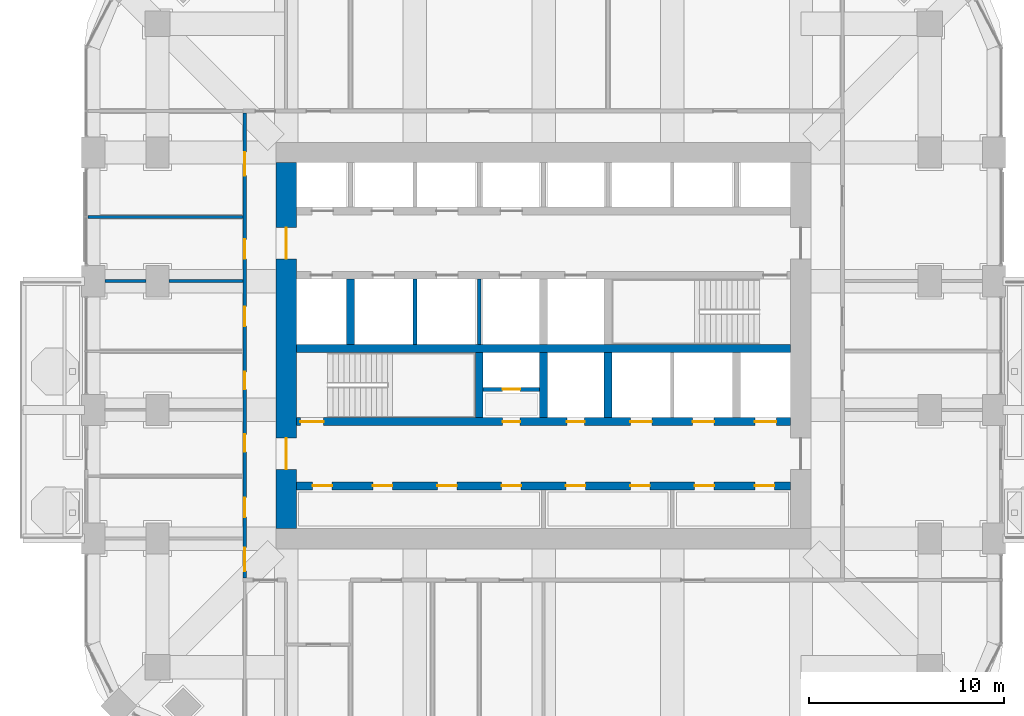
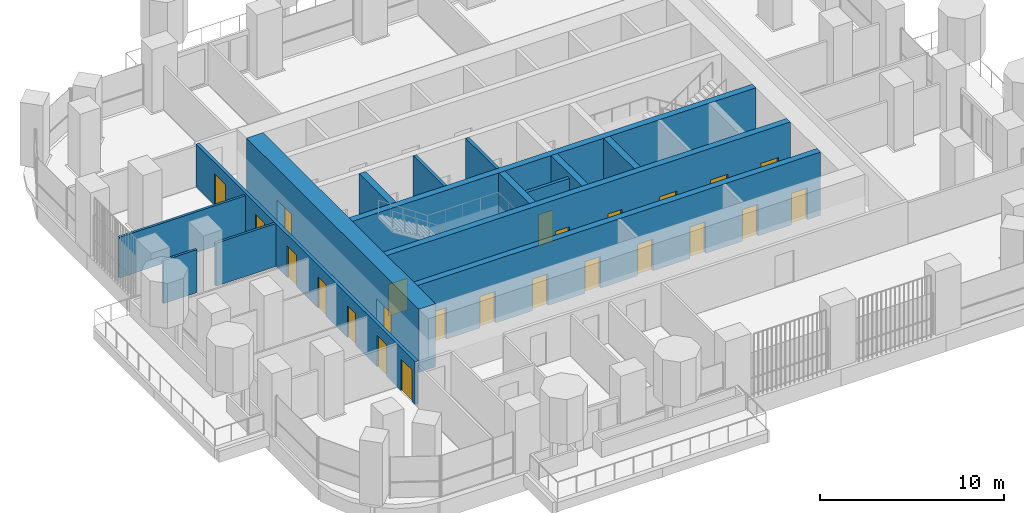
# One storey, part 12 of 19: 24 doors, 15 walls, 24 openings.
"""IFC4 building model written with IfcOpenShell, lengths in metres."""

import ifcopenshell
import ifcopenshell.guid

model = None  # the IFC model being written
_history = None  # IfcOwnerHistory: only IFC2X3 demands one
_inside = {}  # id of a spatial element -> (the spatial element, [elements in it])
_under = {}  # id of a project, library or spatial element -> (it, [spatial elements below it])
_declared = {}  # id of a project -> (the project, [libraries it declares])
_typed = {}  # id of a type object -> (the type object, [elements of that type])
_made_of = {}  # id of a material, layer set ... -> (it, [elements and type objects made of it])


def new_model(schema):
    """Start an empty IFC model of exactly this schema.

    Asked for "IFC4X3", IfcOpenShell would pick the latest addendum, in which some entities
    have other attributes; the version numbers below select the first issue.
    IFC2X3 requires an IfcOwnerHistory on every rooted entity: one is made here for all.
    """
    global model, _history
    if schema == "IFC4X3":
        model = ifcopenshell.file(schema_version=(4, 3, 0, 0))
    else:
        model = ifcopenshell.file(schema=schema)
    _inside.clear()
    _under.clear()
    _declared.clear()
    _typed.clear()
    _made_of.clear()
    _history = None
    if model.schema == "IFC2X3":
        org = make("IfcOrganization", Name="unknown")
        user = make(
            "IfcPersonAndOrganization",
            ThePerson=make("IfcPerson", FamilyName="unknown"),
            TheOrganization=org,
        )
        app = make(
            "IfcApplication",
            ApplicationDeveloper=org,
            Version="unknown",
            ApplicationFullName="unknown",
            ApplicationIdentifier="unknown",
        )
        _history = make(
            "IfcOwnerHistory",
            OwningUser=user,
            OwningApplication=app,
            ChangeAction="ADDED",
            CreationDate=0,
        )
    return model


def make(cls, **values):
    """One entity of the class cls with the attributes given. An attribute that is None is left unset."""
    return model.create_entity(
        cls, **{name: value for name, value in values.items() if value is not None}
    )


def rooted(cls, **values):
    """An entity with a GlobalId (a new one), such as an element, a storey or a relation."""
    return make(cls, GlobalId=ifcopenshell.guid.new(), OwnerHistory=_history, **values)


def si_unit(unit_type, name, prefix=None):
    """IfcSIUnit, for example si_unit("LENGTHUNIT", "METRE", prefix="MILLI")."""
    return make("IfcSIUnit", UnitType=unit_type, Prefix=prefix, Name=name)


def assignment(units):
    """IfcUnitAssignment: the units of a project."""
    return None if units is None else make("IfcUnitAssignment", Units=units)


def point(xyz):
    """IfcCartesianPoint."""
    return None if xyz is None else make("IfcCartesianPoint", Coordinates=xyz)


def direction(xyz):
    """IfcDirection."""
    return None if xyz is None else make("IfcDirection", DirectionRatios=xyz)


def frame(location, z_axis=None, x_axis=None):
    """IfcAxis2Placement3D, a coordinate frame: its origin and axes. An axis left out is left unset."""
    return make(
        "IfcAxis2Placement3D",
        Location=point(location),
        Axis=direction(z_axis),
        RefDirection=direction(x_axis),
    )


def frame_2d(location, x_axis=None):
    """IfcAxis2Placement2D, a coordinate frame in the plane: its origin and x axis."""
    return make(
        "IfcAxis2Placement2D", Location=point(location), RefDirection=direction(x_axis)
    )


def origin():
    """The frame at (0, 0, 0) with its axes left unset."""
    return frame((0.0, 0.0, 0.0))


def place(relative_to, where):
    """IfcLocalPlacement: puts the frame where relative to a parent placement (None: the world)."""
    return make(
        "IfcLocalPlacement", PlacementRelTo=relative_to, RelativePlacement=where
    )


def context(
    kind, dimensions, precision=None, world=None, true_north=None, identifier=None
):
    """IfcGeometricRepresentationContext, for example the 3D "Model" context."""
    return make(
        "IfcGeometricRepresentationContext",
        ContextIdentifier=identifier,
        ContextType=kind,
        CoordinateSpaceDimension=dimensions,
        Precision=precision,
        WorldCoordinateSystem=world,
        TrueNorth=true_north,
    )


def subcontext(parent, identifier, kind, view, scale=None):
    """IfcGeometricRepresentationSubContext, for example "Body" below "Model"."""
    return make(
        "IfcGeometricRepresentationSubContext",
        ContextIdentifier=identifier,
        ContextType=kind,
        ParentContext=parent,
        TargetScale=scale,
        TargetView=view,
    )


def project(units=None, contexts=None):
    """IfcProject with its units and contexts."""
    return rooted(
        "IfcProject",
        Name="project",
        RepresentationContexts=contexts,
        UnitsInContext=assignment(units),
    )


def spatial(cls, under=None, at=None, **own):
    """A site, building, storey or space (cls), placed at a placement, below another one or the project."""
    s = rooted(cls, ObjectPlacement=at, **own)
    if under is not None:
        _under.setdefault(under.id(), (under, []))[1].append(s)
    return s


def profile(cls, at=None, kind="AREA", **sizes):
    """A parametric profile (cls). Its sizes go by their IFC names, for example OverallWidth=200.0."""
    return make(cls, ProfileType=kind, Position=at, **sizes)


def rectangle(**sizes):
    """IfcRectangleProfileDef."""
    return profile("IfcRectangleProfileDef", **sizes)


def extrude(swept, where, along, depth):
    """IfcExtrudedAreaSolid: the profile swept, set in the frame where, extruded along a direction by depth."""
    return make(
        "IfcExtrudedAreaSolid",
        SweptArea=swept,
        Position=where,
        ExtrudedDirection=direction(along),
        Depth=depth,
    )


def shape(context_of_items, identifier, shape_type, items):
    """IfcShapeRepresentation: the items that make up one representation, for example the "Body"."""
    return make(
        "IfcShapeRepresentation",
        ContextOfItems=context_of_items,
        RepresentationIdentifier=identifier,
        RepresentationType=shape_type,
        Items=items,
    )


def material(Name=None, Category=None):
    """IfcMaterial."""
    return make("IfcMaterial", Name=Name, Category=Category)


def layer(
    of_material, thickness, ventilated=None, Name=None, Category=None, Priority=None
):
    """IfcMaterialLayer: one layer of a wall or slab, of a material (None: an air gap)."""
    return make(
        "IfcMaterialLayer",
        Material=of_material,
        LayerThickness=thickness,
        IsVentilated=ventilated,
        Name=Name,
        Category=Category,
        Priority=Priority,
    )


def layer_set(layers, Name=None):
    """IfcMaterialLayerSet."""
    return make("IfcMaterialLayerSet", MaterialLayers=layers, LayerSetName=Name)


def made_of(thing, what):
    """Note that an element or type object is made of a material, layer set ...; save() writes the relation."""
    if what is not None:
        _made_of.setdefault(what.id(), (what, []))[1].append(thing)
    return thing


def type_object(cls, material=None, **own):
    """A type object (cls), such as IfcWallType, which elements share."""
    return made_of(rooted(cls, **own), material)


def element(
    cls,
    number,
    at=None,
    inside=None,
    cuts=None,
    type_object=None,
    material=None,
    context=None,
    identifier="Body",
    shape_type=None,
    held_by="IfcProductDefinitionShape",
    body=None,
    shapes=None,
    **own,
):
    """One element of the class cls, such as IfcWall. Its Tag is "e" and its number.

    at: its placement. inside: the storey or other place that contains it. cuts: it is an
    opening in that element (IfcRelVoidsElement). A single representation is given by context,
    identifier, shape_type and body (its items); several are given by shapes. held_by: the class
    of the entity that holds the representations. save() writes the other relations.
    """
    e = rooted(cls, Tag="e%d" % number, ObjectPlacement=at, **own)
    if body is not None:
        shapes = [shape(context, identifier, shape_type, body)]
    if shapes is not None:
        e.Representation = make(held_by, Representations=shapes)
    if inside is not None:
        _inside.setdefault(inside.id(), (inside, []))[1].append(e)
    if cuts is not None:
        rooted(
            "IfcRelVoidsElement", RelatingBuildingElement=cuts, RelatedOpeningElement=e
        )
    if type_object is not None:
        _typed.setdefault(type_object.id(), (type_object, []))[1].append(e)
    return made_of(e, material)


def fill(opening, filler):
    """IfcRelFillsElement: the door or window that sits in an opening."""
    return rooted(
        "IfcRelFillsElement",
        RelatingOpeningElement=opening,
        RelatedBuildingElement=filler,
    )


def aggregate(whole, parts):
    """IfcRelAggregates: a whole, such as a stair, and the parts it consists of."""
    return rooted("IfcRelAggregates", RelatingObject=whole, RelatedObjects=parts)


def save(model, path):
    """Write the relations noted so far, then the file.

    IfcRelAggregates (storeys below a building ...), IfcRelContainedInSpatialStructure (elements
    in a storey), IfcRelDefinesByType, IfcRelAssociatesMaterial and IfcRelDeclares: one each for
    every whole, place, type object, material and project.
    """
    for whole, parts in _under.values():
        aggregate(whole, parts)
    for where, things in _inside.values():
        rooted(
            "IfcRelContainedInSpatialStructure",
            RelatedElements=things,
            RelatingStructure=where,
        )
    for kind, things in _typed.values():
        rooted("IfcRelDefinesByType", RelatedObjects=things, RelatingType=kind)
    for what, things in _made_of.values():
        rooted("IfcRelAssociatesMaterial", RelatedObjects=things, RelatingMaterial=what)
    for by, libraries in _declared.values():
        rooted("IfcRelDeclares", RelatingContext=by, RelatedDefinitions=libraries)
    model.write(path)


model = new_model("IFC4")

# Units and contexts
model_context = context("Model", 3, precision=1e-05, world=origin(), true_north=direction((0.0, 1.0)))
body_context = subcontext(model_context, "Body", "Model", "MODEL_VIEW")
ifc_project = project(units=[si_unit("LENGTHUNIT", "METRE"), si_unit("AREAUNIT", "SQUARE_METRE"), si_unit("VOLUMEUNIT", "CUBIC_METRE"), si_unit("PLANEANGLEUNIT", "RADIAN"), si_unit("MASSUNIT", "GRAM", prefix="KILO")], contexts=[model_context])

# Site, building, storey
site_placement = place(None, origin())
site = spatial("IfcSite", under=ifc_project, at=site_placement, CompositionType="ELEMENT")
building_placement = place(site_placement, origin())
building = spatial("IfcBuilding", under=site, at=building_placement, Name="Cobogo Forest Laboratory Tower", CompositionType="ELEMENT")
storey_placement = place(building_placement, frame((0.0, 0.0, 159.89990234375)))
storey = spatial("IfcBuildingStorey", under=building, at=storey_placement, Name="L36", CompositionType="ELEMENT", Elevation=159.89990234375)

# Wall, openings, doors
ifc_material_1 = material(Name="Concrete HA-50 (C50/60)", Category="concrete")
ifc_layer_1 = layer(ifc_material_1, 0.39990234375)
ifc_layer_set_1 = layer_set([ifc_layer_1], Name="CI400 core inner wall 400")
wall_type_1 = type_object("IfcWallType", Name="CI400 core inner wall 400", PredefinedType="SHEAR", material=ifc_layer_set_1)
wall_1_placement = place(storey_placement, frame((13.72509765625, 15.89990234375, 0.0), z_axis=(0.0, 0.0, 1.0), x_axis=(1.0, 0.0, 0.0)))
wall_1 = element("IfcWall", 1, at=wall_1_placement, inside=storey, type_object=wall_type_1, Name="Core wall CI-15.9 L36", PredefinedType="SHEAR", context=body_context, shape_type="SweptSolid", body=[
    extrude(rectangle(XDim=25.349853515625, YDim=0.39990234375, at=frame_2d((12.6748046875, 0.0))), origin(), (0.0, 0.0, 1.0), 4.2001953125),
])
opening_1_placement = place(wall_1_placement, frame((0.83740234375, 0.0, 0.0)))
opening_1 = element("IfcOpeningElement", 2, at=opening_1_placement, cuts=wall_1, Name="Opening L36-D11", PredefinedType="OPENING", context=body_context, shape_type="SweptSolid", body=[
    extrude(rectangle(XDim=1.0, YDim=2.10009765625, at=frame_2d((0.5, 1.050048828125))), frame((0.0, 0.2099609375, 0.0), z_axis=(0.0, -1.0, 0.0), x_axis=(1.0, 0.0, 0.0)), (0.0, 0.0, 1.0), 0.419921875),
])
opening_2_placement = place(wall_1_placement, frame((3.925048828125, 0.0, 0.0)))
opening_2 = element("IfcOpeningElement", 3, at=opening_2_placement, cuts=wall_1, Name="Opening L36-D12", PredefinedType="OPENING", context=body_context, shape_type="SweptSolid", body=[
    extrude(rectangle(XDim=1.0, YDim=2.10009765625, at=frame_2d((0.5, 1.050048828125))), frame((0.0, 0.2099609375, 0.0), z_axis=(0.0, -1.0, 0.0), x_axis=(1.0, 0.0, 0.0)), (0.0, 0.0, 1.0), 0.419921875),
])
opening_3_placement = place(wall_1_placement, frame((7.22509765625, 0.0, 0.0)))
opening_3 = element("IfcOpeningElement", 4, at=opening_3_placement, cuts=wall_1, Name="Opening L36-D13", PredefinedType="OPENING", context=body_context, shape_type="SweptSolid", body=[
    extrude(rectangle(XDim=1.0, YDim=2.10009765625, at=frame_2d((0.5, 1.050048828125))), frame((0.0, 0.2099609375, 0.0), z_axis=(0.0, -1.0, 0.0), x_axis=(1.0, 0.0, 0.0)), (0.0, 0.0, 1.0), 0.419921875),
])
opening_4_placement = place(wall_1_placement, frame((10.52490234375, 0.0, 0.0)))
opening_4 = element("IfcOpeningElement", 5, at=opening_4_placement, cuts=wall_1, Name="Opening L36-D14", PredefinedType="OPENING", context=body_context, shape_type="SweptSolid", body=[
    extrude(rectangle(XDim=1.0, YDim=2.10009765625, at=frame_2d((0.5, 1.050048828125))), frame((0.0, 0.2099609375, 0.0), z_axis=(0.0, -1.0, 0.0), x_axis=(1.0, 0.0, 0.0)), (0.0, 0.0, 1.0), 0.419921875),
])
opening_5_placement = place(wall_1_placement, frame((13.824951171875, 0.0, 0.0)))
opening_5 = element("IfcOpeningElement", 6, at=opening_5_placement, cuts=wall_1, Name="Opening L36-D15", PredefinedType="OPENING", context=body_context, shape_type="SweptSolid", body=[
    extrude(rectangle(XDim=1.0, YDim=2.10009765625, at=frame_2d((0.5, 1.050048828125))), frame((0.0, 0.2099609375, 0.0), z_axis=(0.0, -1.0, 0.0), x_axis=(1.0, 0.0, 0.0)), (0.0, 0.0, 1.0), 0.419921875),
])
opening_6_placement = place(wall_1_placement, frame((17.125, 0.0, 0.0)))
opening_6 = element("IfcOpeningElement", 7, at=opening_6_placement, cuts=wall_1, Name="Opening L36-D16", PredefinedType="OPENING", context=body_context, shape_type="SweptSolid", body=[
    extrude(rectangle(XDim=1.0, YDim=2.10009765625, at=frame_2d((0.5, 1.050048828125))), frame((0.0, 0.2099609375, 0.0), z_axis=(0.0, -1.0, 0.0), x_axis=(1.0, 0.0, 0.0)), (0.0, 0.0, 1.0), 0.419921875),
])
opening_7_placement = place(wall_1_placement, frame((20.425048828125, 0.0, 0.0)))
opening_7 = element("IfcOpeningElement", 8, at=opening_7_placement, cuts=wall_1, Name="Opening L36-D17", PredefinedType="OPENING", context=body_context, shape_type="SweptSolid", body=[
    extrude(rectangle(XDim=1.0, YDim=2.10009765625, at=frame_2d((0.5, 1.050048828125))), frame((0.0, 0.2099609375, 0.0), z_axis=(0.0, -1.0, 0.0), x_axis=(1.0, 0.0, 0.0)), (0.0, 0.0, 1.0), 0.419921875),
])
opening_8_placement = place(wall_1_placement, frame((23.512451171875, 0.0, 0.0)))
opening_8 = element("IfcOpeningElement", 9, at=opening_8_placement, cuts=wall_1, Name="Opening L36-D18", PredefinedType="OPENING", context=body_context, shape_type="SweptSolid", body=[
    extrude(rectangle(XDim=1.0, YDim=2.10009765625, at=frame_2d((0.5, 1.050048828125))), frame((0.0, 0.2099609375, 0.0), z_axis=(0.0, -1.0, 0.0), x_axis=(1.0, 0.0, 0.0)), (0.0, 0.0, 1.0), 0.419921875),
])
ifc_material_2 = material(Name="Steel fire door", Category="steel")
door_type_1 = type_object("IfcDoorType", Name="FD1 fire door 1000 EI2 60", OperationType="SINGLE_SWING_LEFT", PredefinedType="DOOR", material=ifc_material_2)
door_1_placement = place(opening_1_placement, origin())
door_1 = element("IfcDoor", 10, at=door_1_placement, inside=storey, type_object=door_type_1, Name="Door L36-SH-LA1", OperationType="SINGLE_SWING_LEFT", OverallHeight=2.10009765625, OverallWidth=1.0, PredefinedType="DOOR", context=body_context, shape_type="SweptSolid", body=[
    extrude(rectangle(XDim=1.0, YDim=2.10009765625, at=frame_2d((0.5, 1.050048828125))), frame((0.0, 0.02490234375, 0.0), z_axis=(0.0, -1.0, 0.0), x_axis=(1.0, 0.0, 0.0)), (0.0, 0.0, 1.0), 0.050048828125),
])
fill(opening_1, door_1)
door_2_placement = place(opening_2_placement, origin())
door_2 = element("IfcDoor", 11, at=door_2_placement, inside=storey, type_object=door_type_1, Name="Door L36-SH-LA2", OperationType="SINGLE_SWING_LEFT", OverallHeight=2.10009765625, OverallWidth=1.0, PredefinedType="DOOR", context=body_context, shape_type="SweptSolid", body=[
    extrude(rectangle(XDim=1.0, YDim=2.10009765625, at=frame_2d((0.5, 1.050048828125))), frame((0.0, 0.02490234375, 0.0), z_axis=(0.0, -1.0, 0.0), x_axis=(1.0, 0.0, 0.0)), (0.0, 0.0, 1.0), 0.050048828125),
])
fill(opening_2, door_2)
door_3_placement = place(opening_3_placement, origin())
door_3 = element("IfcDoor", 12, at=door_3_placement, inside=storey, type_object=door_type_1, Name="Door L36-SH-LA3", OperationType="SINGLE_SWING_LEFT", OverallHeight=2.10009765625, OverallWidth=1.0, PredefinedType="DOOR", context=body_context, shape_type="SweptSolid", body=[
    extrude(rectangle(XDim=1.0, YDim=2.10009765625, at=frame_2d((0.5, 1.050048828125))), frame((0.0, 0.02490234375, 0.0), z_axis=(0.0, -1.0, 0.0), x_axis=(1.0, 0.0, 0.0)), (0.0, 0.0, 1.0), 0.050048828125),
])
fill(opening_3, door_3)
door_4_placement = place(opening_4_placement, origin())
door_4 = element("IfcDoor", 13, at=door_4_placement, inside=storey, type_object=door_type_1, Name="Door L36-SH-LA4", OperationType="SINGLE_SWING_LEFT", OverallHeight=2.10009765625, OverallWidth=1.0, PredefinedType="DOOR", context=body_context, shape_type="SweptSolid", body=[
    extrude(rectangle(XDim=1.0, YDim=2.10009765625, at=frame_2d((0.5, 1.050048828125))), frame((0.0, 0.02490234375, 0.0), z_axis=(0.0, -1.0, 0.0), x_axis=(1.0, 0.0, 0.0)), (0.0, 0.0, 1.0), 0.050048828125),
])
fill(opening_4, door_4)
door_5_placement = place(opening_5_placement, origin())
door_5 = element("IfcDoor", 14, at=door_5_placement, inside=storey, type_object=door_type_1, Name="Door L36-SH-LB1", OperationType="SINGLE_SWING_RIGHT", OverallHeight=2.10009765625, OverallWidth=1.0, PredefinedType="DOOR", context=body_context, shape_type="SweptSolid", body=[
    extrude(rectangle(XDim=1.0, YDim=2.10009765625, at=frame_2d((0.5, 1.050048828125))), frame((0.0, 0.02490234375, 0.0), z_axis=(0.0, -1.0, 0.0), x_axis=(1.0, 0.0, 0.0)), (0.0, 0.0, 1.0), 0.050048828125),
])
fill(opening_5, door_5)
door_6_placement = place(opening_6_placement, origin())
door_6 = element("IfcDoor", 15, at=door_6_placement, inside=storey, type_object=door_type_1, Name="Door L36-SH-LB2", OperationType="SINGLE_SWING_RIGHT", OverallHeight=2.10009765625, OverallWidth=1.0, PredefinedType="DOOR", context=body_context, shape_type="SweptSolid", body=[
    extrude(rectangle(XDim=1.0, YDim=2.10009765625, at=frame_2d((0.5, 1.050048828125))), frame((0.0, 0.02490234375, 0.0), z_axis=(0.0, -1.0, 0.0), x_axis=(1.0, 0.0, 0.0)), (0.0, 0.0, 1.0), 0.050048828125),
])
fill(opening_6, door_6)
door_7_placement = place(opening_7_placement, origin())
door_7 = element("IfcDoor", 16, at=door_7_placement, inside=storey, type_object=door_type_1, Name="Door L36-SH-LB3", OperationType="SINGLE_SWING_RIGHT", OverallHeight=2.10009765625, OverallWidth=1.0, PredefinedType="DOOR", context=body_context, shape_type="SweptSolid", body=[
    extrude(rectangle(XDim=1.0, YDim=2.10009765625, at=frame_2d((0.5, 1.050048828125))), frame((0.0, 0.02490234375, 0.0), z_axis=(0.0, -1.0, 0.0), x_axis=(1.0, 0.0, 0.0)), (0.0, 0.0, 1.0), 0.050048828125),
])
fill(opening_7, door_7)
door_8_placement = place(opening_8_placement, origin())
door_8 = element("IfcDoor", 17, at=door_8_placement, inside=storey, type_object=door_type_1, Name="Door L36-SH-LB4", OperationType="SINGLE_SWING_RIGHT", OverallHeight=2.10009765625, OverallWidth=1.0, PredefinedType="DOOR", context=body_context, shape_type="SweptSolid", body=[
    extrude(rectangle(XDim=1.0, YDim=2.10009765625, at=frame_2d((0.5, 1.050048828125))), frame((0.0, 0.02490234375, 0.0), z_axis=(0.0, -1.0, 0.0), x_axis=(1.0, 0.0, 0.0)), (0.0, 0.0, 1.0), 0.050048828125),
])
fill(opening_8, door_8)

wall_2_placement = place(storey_placement, frame((13.72509765625, 19.199951171875, 0.0), z_axis=(0.0, 0.0, 1.0), x_axis=(1.0, 0.0, 0.0)))
wall_2 = element("IfcWall", 18, at=wall_2_placement, inside=storey, type_object=wall_type_1, Name="Core wall CI-19.2 L36", PredefinedType="SHEAR", context=body_context, shape_type="SweptSolid", body=[
    extrude(rectangle(XDim=25.349853515625, YDim=0.39990234375, at=frame_2d((12.6748046875, 0.0))), origin(), (0.0, 0.0, 1.0), 4.2001953125),
])
opening_9_placement = place(wall_2_placement, frame((10.574951171875, 0.0, 0.0)))
opening_9 = element("IfcOpeningElement", 19, at=opening_9_placement, cuts=wall_2, Name="Opening L36-D25", PredefinedType="OPENING", context=body_context, shape_type="SweptSolid", body=[
    extrude(rectangle(XDim=0.89990234375, YDim=2.10009765625, at=frame_2d((0.449951171875, 1.050048828125))), frame((0.0, 0.2099609375, 0.0), z_axis=(0.0, -1.0, 0.0), x_axis=(1.0, 0.0, 0.0)), (0.0, 0.0, 1.0), 0.419921875),
])
opening_10_placement = place(wall_2_placement, frame((13.875, 0.0, 0.0)))
opening_10 = element("IfcOpeningElement", 20, at=opening_10_placement, cuts=wall_2, Name="Opening L36-D26", PredefinedType="OPENING", context=body_context, shape_type="SweptSolid", body=[
    extrude(rectangle(XDim=0.89990234375, YDim=2.10009765625, at=frame_2d((0.449951171875, 1.050048828125))), frame((0.0, 0.2099609375, 0.0), z_axis=(0.0, -1.0, 0.0), x_axis=(1.0, 0.0, 0.0)), (0.0, 0.0, 1.0), 0.419921875),
])
opening_11_placement = place(wall_2_placement, frame((0.199951171875, 0.0, 0.0)))
opening_11 = element("IfcOpeningElement", 21, at=opening_11_placement, cuts=wall_2, Name="Opening L36-D24", PredefinedType="OPENING", context=body_context, shape_type="SweptSolid", body=[
    extrude(rectangle(XDim=1.199951171875, YDim=2.10009765625, at=frame_2d((0.60009765625, 1.050048828125))), frame((0.0, 0.2099609375, 0.0), z_axis=(0.0, -1.0, 0.0), x_axis=(1.0, 0.0, 0.0)), (0.0, 0.0, 1.0), 0.419921875),
])
opening_12_placement = place(wall_2_placement, frame((23.512451171875, 0.0, 0.0)))
opening_12 = element("IfcOpeningElement", 22, at=opening_12_placement, cuts=wall_2, Name="Opening L36-LD-FL2", PredefinedType="OPENING", context=body_context, shape_type="SweptSolid", body=[
    extrude(rectangle(XDim=1.10009765625, YDim=2.10009765625, at=frame_2d((0.550048828125, 1.050048828125))), frame((0.0, 0.2099609375, 0.0), z_axis=(0.0, -1.0, 0.0), x_axis=(1.0, 0.0, 0.0)), (0.0, 0.0, 1.0), 0.419921875),
])
opening_13_placement = place(wall_2_placement, frame((17.125, 0.0, 0.0)))
opening_13 = element("IfcOpeningElement", 23, at=opening_13_placement, cuts=wall_2, Name="Opening L36-LD-LS1", PredefinedType="OPENING", context=body_context, shape_type="SweptSolid", body=[
    extrude(rectangle(XDim=1.10009765625, YDim=2.10009765625, at=frame_2d((0.550048828125, 1.050048828125))), frame((0.0, 0.2099609375, 0.0), z_axis=(0.0, -1.0, 0.0), x_axis=(1.0, 0.0, 0.0)), (0.0, 0.0, 1.0), 0.419921875),
])
opening_14_placement = place(wall_2_placement, frame((20.324951171875, 0.0, 0.0)))
opening_14 = element("IfcOpeningElement", 24, at=opening_14_placement, cuts=wall_2, Name="Opening L36-LD-LS2", PredefinedType="OPENING", context=body_context, shape_type="SweptSolid", body=[
    extrude(rectangle(XDim=1.10009765625, YDim=2.10009765625, at=frame_2d((0.550048828125, 1.050048828125))), frame((0.0, 0.2099609375, 0.0), z_axis=(0.0, -1.0, 0.0), x_axis=(1.0, 0.0, 0.0)), (0.0, 0.0, 1.0), 0.419921875),
])
door_type_2 = type_object("IfcDoorType", Name="DS1 protected stair door 1200 EI2 60", OperationType="SINGLE_SWING_LEFT", PredefinedType="DOOR", material=ifc_material_2)
door_9_placement = place(opening_11_placement, origin())
door_9 = element("IfcDoor", 25, at=door_9_placement, inside=storey, type_object=door_type_2, Name="Door L36-ST1", OperationType="SINGLE_SWING_LEFT", OverallHeight=2.10009765625, OverallWidth=1.199951171875, PredefinedType="DOOR", context=body_context, shape_type="SweptSolid", body=[
    extrude(rectangle(XDim=1.199951171875, YDim=2.10009765625, at=frame_2d((0.60009765625, 1.050048828125))), frame((0.0, 0.02490234375, 0.0), z_axis=(0.0, -1.0, 0.0), x_axis=(1.0, 0.0, 0.0)), (0.0, 0.0, 1.0), 0.050048828125),
])
fill(opening_11, door_9)
door_type_3 = type_object("IfcDoorType", Name="FD4 riser access door 900 EI2 60", OperationType="SINGLE_SWING_LEFT", PredefinedType="DOOR", material=ifc_material_2)
door_10_placement = place(opening_9_placement, origin())
door_10 = element("IfcDoor", 26, at=door_10_placement, inside=storey, type_object=door_type_3, Name="Door L36-R1V", OperationType="SINGLE_SWING_LEFT", OverallHeight=2.10009765625, OverallWidth=0.89990234375, PredefinedType="DOOR", context=body_context, shape_type="SweptSolid", body=[
    extrude(rectangle(XDim=0.89990234375, YDim=2.10009765625, at=frame_2d((0.449951171875, 1.050048828125))), frame((0.0, 0.02490234375, 0.0), z_axis=(0.0, -1.0, 0.0), x_axis=(1.0, 0.0, 0.0)), (0.0, 0.0, 1.0), 0.050048828125),
])
fill(opening_9, door_10)
door_11_placement = place(opening_10_placement, origin())
door_11 = element("IfcDoor", 27, at=door_11_placement, inside=storey, type_object=door_type_3, Name="Door L36-R2", OperationType="SINGLE_SWING_RIGHT", OverallHeight=2.10009765625, OverallWidth=0.89990234375, PredefinedType="DOOR", context=body_context, shape_type="SweptSolid", body=[
    extrude(rectangle(XDim=0.89990234375, YDim=2.10009765625, at=frame_2d((0.449951171875, 1.050048828125))), frame((0.0, 0.02490234375, 0.0), z_axis=(0.0, -1.0, 0.0), x_axis=(1.0, 0.0, 0.0)), (0.0, 0.0, 1.0), 0.050048828125),
])
fill(opening_10, door_11)
ifc_material_3 = material(Name="Stainless steel lift door", Category="steel")
door_type_4 = type_object("IfcDoorType", Name="LD lift landing door 1100", OperationType="DOUBLE_DOOR_SLIDING", PredefinedType="DOOR", material=ifc_material_3)
door_12_placement = place(opening_12_placement, origin())
door_12 = element("IfcDoor", 28, at=door_12_placement, inside=storey, type_object=door_type_4, Name="Lift landing door FL2 L36", OperationType="DOUBLE_DOOR_SLIDING", OverallHeight=2.10009765625, OverallWidth=1.10009765625, PredefinedType="DOOR", context=body_context, shape_type="SweptSolid", body=[
    extrude(rectangle(XDim=1.10009765625, YDim=2.10009765625, at=frame_2d((0.550048828125, 1.050048828125))), frame((0.0, 0.02490234375, 0.0), z_axis=(0.0, -1.0, 0.0), x_axis=(1.0, 0.0, 0.0)), (0.0, 0.0, 1.0), 0.050048828125),
])
fill(opening_12, door_12)
door_13_placement = place(opening_13_placement, origin())
door_13 = element("IfcDoor", 29, at=door_13_placement, inside=storey, type_object=door_type_4, Name="Lift landing door LS1 L36", OperationType="DOUBLE_DOOR_SLIDING", OverallHeight=2.10009765625, OverallWidth=1.10009765625, PredefinedType="DOOR", context=body_context, shape_type="SweptSolid", body=[
    extrude(rectangle(XDim=1.10009765625, YDim=2.10009765625, at=frame_2d((0.550048828125, 1.050048828125))), frame((0.0, 0.02490234375, 0.0), z_axis=(0.0, -1.0, 0.0), x_axis=(1.0, 0.0, 0.0)), (0.0, 0.0, 1.0), 0.050048828125),
])
fill(opening_13, door_13)
door_14_placement = place(opening_14_placement, origin())
door_14 = element("IfcDoor", 30, at=door_14_placement, inside=storey, type_object=door_type_4, Name="Lift landing door LS2 L36", OperationType="DOUBLE_DOOR_SLIDING", OverallHeight=2.10009765625, OverallWidth=1.10009765625, PredefinedType="DOOR", context=body_context, shape_type="SweptSolid", body=[
    extrude(rectangle(XDim=1.10009765625, YDim=2.10009765625, at=frame_2d((0.550048828125, 1.050048828125))), frame((0.0, 0.02490234375, 0.0), z_axis=(0.0, -1.0, 0.0), x_axis=(1.0, 0.0, 0.0)), (0.0, 0.0, 1.0), 0.050048828125),
])
fill(opening_14, door_14)

# Walls
wall_3_placement = place(storey_placement, frame((13.72509765625, 22.949951171875, 0.0), z_axis=(0.0, 0.0, 1.0), x_axis=(1.0, 0.0, 0.0)))
element("IfcWall", 31, at=wall_3_placement, inside=storey, type_object=wall_type_1, Name="Core wall CI-22.95 L36", PredefinedType="SHEAR", context=body_context, shape_type="SweptSolid", body=[
    extrude(rectangle(XDim=25.349853515625, YDim=0.39990234375, at=frame_2d((12.6748046875, 0.0))), origin(), (0.0, 0.0, 1.0), 4.2001953125),
])
for number, where, z_axis, x_axis, name in (
    (32, (23.10009765625, 19.39990234375, 0.0), (0.0, 0.0, 1.0), (0.0, 1.0, 0.0), "Core wall CX-23.1 L36"),
    (33, (26.39990234375, 19.39990234375, 0.0), (0.0, 0.0, 1.0), (0.0, 1.0, 0.0), "Core wall CX-26.4S L36"),
    (34, (29.699951171875, 19.39990234375, 0.0), (0.0, 0.0, 1.0), (0.0, 1.0, 0.0), "Core wall CX-29.7S L36"),
    (35, (16.5, 23.14990234375, 0.0), (0.0, 0.0, 1.0), (0.0, 1.0, 0.0), "Core wall CX-16.5 L36"),
):
    element("IfcWall", number, at=place(storey_placement, frame(where, z_axis=z_axis, x_axis=x_axis)), inside=storey, type_object=wall_type_1, Name=name, PredefinedType="SHEAR", context=body_context, shape_type="SweptSolid", body=[
        extrude(rectangle(XDim=3.35009765625, YDim=0.39990234375, at=frame_2d((1.675048828125, 0.0))), origin(), (0.0, 0.0, 1.0), 4.2001953125),
    ])

# Wall, openings, doors
ifc_layer_2 = layer(ifc_material_1, 1.050048828125)
ifc_layer_set_2 = layer_set([ifc_layer_2], Name="CW1050 core outer wall 1050")
wall_type_2 = type_object("IfcWallType", Name="CW1050 core outer wall 1050", PredefinedType="SHEAR", material=ifc_layer_set_2)
wall_4_placement = place(storey_placement, frame((13.199951171875, 32.47509765625, 0.0), z_axis=(0.0, 0.0, 1.0), x_axis=(0.0, -1.0, 0.0)))
wall_4 = element("IfcWall", 36, at=wall_4_placement, inside=storey, type_object=wall_type_2, Name="Core wall CO-W L36", PredefinedType="SHEAR", context=body_context, shape_type="SweptSolid", body=[
    extrude(rectangle(XDim=18.75, YDim=1.050048828125, at=frame_2d((9.375, 0.0))), origin(), (0.0, 0.0, 1.0), 4.2001953125),
])
opening_15_placement = place(wall_4_placement, frame((14.125, 0.0, 0.0)))
opening_15 = element("IfcOpeningElement", 37, at=opening_15_placement, cuts=wall_4, Name="Opening L36-D21", PredefinedType="OPENING", context=body_context, shape_type="SweptSolid", body=[
    extrude(rectangle(XDim=1.60009765625, YDim=2.10009765625, at=frame_2d((0.800048828125, 1.050048828125))), frame((0.0, 0.534912109375, 0.0), z_axis=(0.0, -1.0, 0.0), x_axis=(1.0, 0.0, 0.0)), (0.0, 0.0, 1.0), 1.070068359375),
])
opening_16_placement = place(wall_4_placement, frame((3.324951171875, 0.0, 0.0)))
opening_16 = element("IfcOpeningElement", 38, at=opening_16_placement, cuts=wall_4, Name="Opening L36-D34", PredefinedType="OPENING", context=body_context, shape_type="SweptSolid", body=[
    extrude(rectangle(XDim=1.60009765625, YDim=2.10009765625, at=frame_2d((0.800048828125, 1.050048828125))), frame((0.0, 0.534912109375, 0.0), z_axis=(0.0, -1.0, 0.0), x_axis=(1.0, 0.0, 0.0)), (0.0, 0.0, 1.0), 1.070068359375),
])
door_type_5 = type_object("IfcDoorType", Name="DS2 protected lobby door pair 1600 EI2 60", OperationType="DOUBLE_DOOR_DOUBLE_SWING", PredefinedType="DOOR", material=ifc_material_2)
door_15_placement = place(opening_15_placement, origin())
door_15 = element("IfcDoor", 39, at=door_15_placement, inside=storey, type_object=door_type_5, Name="Door L36-CO-W-S", OperationType="DOUBLE_DOOR_DOUBLE_SWING", OverallHeight=2.10009765625, OverallWidth=1.60009765625, PredefinedType="DOOR", context=body_context, shape_type="SweptSolid", body=[
    extrude(rectangle(XDim=1.60009765625, YDim=2.10009765625, at=frame_2d((0.800048828125, 1.050048828125))), frame((0.0, 0.02490234375, 0.0), z_axis=(0.0, -1.0, 0.0), x_axis=(1.0, 0.0, 0.0)), (0.0, 0.0, 1.0), 0.050048828125),
])
fill(opening_15, door_15)
door_16_placement = place(opening_16_placement, origin())
door_16 = element("IfcDoor", 40, at=door_16_placement, inside=storey, type_object=door_type_5, Name="Door L36-CO-W-N", OperationType="DOUBLE_DOOR_DOUBLE_SWING", OverallHeight=2.10009765625, OverallWidth=1.60009765625, PredefinedType="DOOR", context=body_context, shape_type="SweptSolid", body=[
    extrude(rectangle(XDim=1.60009765625, YDim=2.10009765625, at=frame_2d((0.800048828125, 1.050048828125))), frame((0.0, 0.02490234375, 0.0), z_axis=(0.0, -1.0, 0.0), x_axis=(1.0, 0.0, 0.0)), (0.0, 0.0, 1.0), 0.050048828125),
])
fill(opening_16, door_16)

# Walls
ifc_material_4 = material(Name="Gypsum board on steel studs", Category="steel")
ifc_layer_3 = layer(ifc_material_4, 0.14990234375)
ifc_layer_set_3 = layer_set([ifc_layer_3], Name="PT1 laboratory partition 150")
wall_type_3 = type_object("IfcWallType", Name="PT1 laboratory partition 150", PredefinedType="PARTITIONING", material=ifc_layer_set_3)
wall_5_placement = place(storey_placement, frame((3.89990234375, 26.39990234375, 0.0), z_axis=(0.0, 0.0, 1.0), x_axis=(1.0, 0.0, 0.0)))
element("IfcWall", 41, at=wall_5_placement, inside=storey, type_object=wall_type_3, Name="Partition CUT-W26.4-1 L36", PredefinedType="PARTITIONING", context=body_context, shape_type="SweptSolid", body=[
    extrude(rectangle(XDim=2.10009765625, YDim=0.14990234375, at=frame_2d((1.050048828125, 0.0))), origin(), (0.0, 0.0, 1.0), 2.85009765625),
])
wall_6_placement = place(storey_placement, frame((7.199951171875, 26.39990234375, 0.0), z_axis=(0.0, 0.0, 1.0), x_axis=(1.0, 0.0, 0.0)))
element("IfcWall", 42, at=wall_6_placement, inside=storey, type_object=wall_type_3, Name="Partition CUT-W26.4-2 L36", PredefinedType="PARTITIONING", context=body_context, shape_type="SweptSolid", body=[
    extrude(rectangle(XDim=3.775146484375, YDim=0.14990234375, at=frame_2d((1.8876953125, 0.0))), origin(), (0.0, 0.0, 1.0), 2.85009765625),
])
wall_7_placement = place(storey_placement, frame((3.030029296875, 29.699951171875, 0.0), z_axis=(0.0, 0.0, 1.0), x_axis=(1.0, 0.0, 0.0)))
element("IfcWall", 43, at=wall_7_placement, inside=storey, type_object=wall_type_3, Name="Partition CUT-W29.7-1 L36", PredefinedType="PARTITIONING", context=body_context, shape_type="SweptSolid", body=[
    extrude(rectangle(XDim=7.945068359375, YDim=0.14990234375, at=frame_2d((3.97265625, 0.0))), origin(), (0.0, 0.0, 1.0), 2.7001953125),
])

# Wall, openings, doors
ifc_layer_4 = layer(ifc_material_4, 0.199951171875)
ifc_layer_set_4 = layer_set([ifc_layer_4], Name="PT2 fire-rated corridor partition 200")
wall_type_4 = type_object("IfcWallType", Name="PT2 fire-rated corridor partition 200", PredefinedType="PARTITIONING", material=ifc_layer_set_4)
wall_8_placement = place(storey_placement, frame((11.074951171875, 11.175048828125, 0.0), z_axis=(0.0, 0.0, 1.0), x_axis=(0.0, 1.0, 0.0)))
wall_8 = element("IfcWall", 44, at=wall_8_placement, inside=storey, type_object=wall_type_4, Name="Partition CORR-W L36", PredefinedType="PARTITIONING", context=body_context, shape_type="SweptSolid", body=[
    extrude(rectangle(XDim=23.849853515625, YDim=0.199951171875, at=frame_2d((11.9248046875, 0.0))), origin(), (0.0, 0.0, 1.0), 2.85009765625),
])
opening_17_placement = place(wall_8_placement, frame((0.362548828125, 0.0, 0.0)))
opening_17 = element("IfcOpeningElement", 45, at=opening_17_placement, cuts=wall_8, Name="Opening L36-D08", PredefinedType="OPENING", context=body_context, shape_type="SweptSolid", body=[
    extrude(rectangle(XDim=1.199951171875, YDim=2.10009765625, at=frame_2d((0.60009765625, 1.050048828125))), frame((0.0, 0.10986328125, 0.0), z_axis=(0.0, -1.0, 0.0), x_axis=(1.0, 0.0, 0.0)), (0.0, 0.0, 1.0), 0.219970703125),
])
opening_18_placement = place(wall_8_placement, frame((3.125, 0.0, 0.0)))
opening_18 = element("IfcOpeningElement", 46, at=opening_18_placement, cuts=wall_8, Name="Opening L36-D09", PredefinedType="OPENING", context=body_context, shape_type="SweptSolid", body=[
    extrude(rectangle(XDim=1.0, YDim=2.10009765625, at=frame_2d((0.5, 1.050048828125))), frame((0.0, 0.10986328125, 0.0), z_axis=(0.0, -1.0, 0.0), x_axis=(1.0, 0.0, 0.0)), (0.0, 0.0, 1.0), 0.219970703125),
])
opening_19_placement = place(wall_8_placement, frame((6.47509765625, 0.0, 0.0)))
opening_19 = element("IfcOpeningElement", 47, at=opening_19_placement, cuts=wall_8, Name="Opening L36-D23", PredefinedType="OPENING", context=body_context, shape_type="SweptSolid", body=[
    extrude(rectangle(XDim=0.89990234375, YDim=2.10009765625, at=frame_2d((0.449951171875, 1.050048828125))), frame((0.0, 0.10986328125, 0.0), z_axis=(0.0, -1.0, 0.0), x_axis=(1.0, 0.0, 0.0)), (0.0, 0.0, 1.0), 0.219970703125),
])
opening_20_placement = place(wall_8_placement, frame((9.675048828125, 0.0, 0.0)))
opening_20 = element("IfcOpeningElement", 48, at=opening_20_placement, cuts=wall_8, Name="Opening L36-D28", PredefinedType="OPENING", context=body_context, shape_type="SweptSolid", body=[
    extrude(rectangle(XDim=0.89990234375, YDim=2.10009765625, at=frame_2d((0.449951171875, 1.050048828125))), frame((0.0, 0.10986328125, 0.0), z_axis=(0.0, -1.0, 0.0), x_axis=(1.0, 0.0, 0.0)), (0.0, 0.0, 1.0), 0.219970703125),
])
opening_21_placement = place(wall_8_placement, frame((12.925048828125, 0.0, 0.0)))
opening_21 = element("IfcOpeningElement", 49, at=opening_21_placement, cuts=wall_8, Name="Opening L36-D30", PredefinedType="OPENING", context=body_context, shape_type="SweptSolid", body=[
    extrude(rectangle(XDim=1.0, YDim=2.10009765625, at=frame_2d((0.5, 1.050048828125))), frame((0.0, 0.10986328125, 0.0), z_axis=(0.0, -1.0, 0.0), x_axis=(1.0, 0.0, 0.0)), (0.0, 0.0, 1.0), 0.219970703125),
])
opening_22_placement = place(wall_8_placement, frame((16.375, 0.0, 0.0)))
opening_22 = element("IfcOpeningElement", 50, at=opening_22_placement, cuts=wall_8, Name="Opening L36-D33", PredefinedType="OPENING", context=body_context, shape_type="SweptSolid", body=[
    extrude(rectangle(XDim=1.0, YDim=2.10009765625, at=frame_2d((0.5, 1.050048828125))), frame((0.0, 0.10986328125, 0.0), z_axis=(0.0, -1.0, 0.0), x_axis=(1.0, 0.0, 0.0)), (0.0, 0.0, 1.0), 0.219970703125),
])
opening_23_placement = place(wall_8_placement, frame((20.637451171875, 0.0, 0.0)))
opening_23 = element("IfcOpeningElement", 51, at=opening_23_placement, cuts=wall_8, Name="Opening L36-D37", PredefinedType="OPENING", context=body_context, shape_type="SweptSolid", body=[
    extrude(rectangle(XDim=1.199951171875, YDim=2.10009765625, at=frame_2d((0.60009765625, 1.050048828125))), frame((0.0, 0.10986328125, 0.0), z_axis=(0.0, -1.0, 0.0), x_axis=(1.0, 0.0, 0.0)), (0.0, 0.0, 1.0), 0.219970703125),
])
ifc_material_5 = material(Name="Timber door", Category="wood")
door_type_6 = type_object("IfcDoorType", Name="D2 laboratory door 1200 unequal pair", OperationType="DOUBLE_DOOR_SINGLE_SWING", PredefinedType="DOOR", material=ifc_material_5)
door_17_placement = place(opening_17_placement, origin())
door_17 = element("IfcDoor", 52, at=door_17_placement, inside=storey, type_object=door_type_6, Name="Door L36-W1", OperationType="DOUBLE_DOOR_SINGLE_SWING", OverallHeight=2.10009765625, OverallWidth=1.199951171875, PredefinedType="DOOR", context=body_context, shape_type="SweptSolid", body=[
    extrude(rectangle(XDim=1.199951171875, YDim=2.10009765625, at=frame_2d((0.60009765625, 1.050048828125))), frame((0.0, 0.02490234375, 0.0), z_axis=(0.0, -1.0, 0.0), x_axis=(1.0, 0.0, 0.0)), (0.0, 0.0, 1.0), 0.050048828125),
])
fill(opening_17, door_17)
door_18_placement = place(opening_23_placement, origin())
door_18 = element("IfcDoor", 53, at=door_18_placement, inside=storey, type_object=door_type_6, Name="Door L36-W4", OperationType="DOUBLE_DOOR_SINGLE_SWING", OverallHeight=2.10009765625, OverallWidth=1.199951171875, PredefinedType="DOOR", context=body_context, shape_type="SweptSolid", body=[
    extrude(rectangle(XDim=1.199951171875, YDim=2.10009765625, at=frame_2d((0.60009765625, 1.050048828125))), frame((0.0, 0.02490234375, 0.0), z_axis=(0.0, -1.0, 0.0), x_axis=(1.0, 0.0, 0.0)), (0.0, 0.0, 1.0), 0.050048828125),
])
fill(opening_23, door_18)
ifc_material_6 = material(Name="Timber fire door", Category="wood")
door_type_7 = type_object("IfcDoorType", Name="FD2 fire door 1000 EI2 30", OperationType="SINGLE_SWING_LEFT", PredefinedType="DOOR", material=ifc_material_6)
door_19_placement = place(opening_21_placement, origin())
door_19 = element("IfcDoor", 54, at=door_19_placement, inside=storey, type_object=door_type_7, Name="Door L36-SHW", OperationType="SINGLE_SWING_RIGHT", OverallHeight=2.10009765625, OverallWidth=1.0, PredefinedType="DOOR", context=body_context, shape_type="SweptSolid", body=[
    extrude(rectangle(XDim=1.0, YDim=2.10009765625, at=frame_2d((0.5, 1.050048828125))), frame((0.0, 0.02490234375, 0.0), z_axis=(0.0, -1.0, 0.0), x_axis=(1.0, 0.0, 0.0)), (0.0, 0.0, 1.0), 0.050048828125),
])
fill(opening_21, door_19)
door_20_placement = place(opening_22_placement, origin())
door_20 = element("IfcDoor", 55, at=door_20_placement, inside=storey, type_object=door_type_7, Name="Door L36-W3", OperationType="SINGLE_SWING_RIGHT", OverallHeight=2.10009765625, OverallWidth=1.0, PredefinedType="DOOR", context=body_context, shape_type="SweptSolid", body=[
    extrude(rectangle(XDim=1.0, YDim=2.10009765625, at=frame_2d((0.5, 1.050048828125))), frame((0.0, 0.02490234375, 0.0), z_axis=(0.0, -1.0, 0.0), x_axis=(1.0, 0.0, 0.0)), (0.0, 0.0, 1.0), 0.050048828125),
])
fill(opening_22, door_20)
door_type_8 = type_object("IfcDoorType", Name="FD3 toilet fire door 900 EI2 30", OperationType="SINGLE_SWING_LEFT", PredefinedType="DOOR", material=ifc_material_6)
door_21_placement = place(opening_19_placement, origin())
door_21 = element("IfcDoor", 56, at=door_21_placement, inside=storey, type_object=door_type_8, Name="Door L36-WCF", OperationType="SINGLE_SWING_LEFT", OverallHeight=2.10009765625, OverallWidth=0.89990234375, PredefinedType="DOOR", context=body_context, shape_type="SweptSolid", body=[
    extrude(rectangle(XDim=0.89990234375, YDim=2.10009765625, at=frame_2d((0.449951171875, 1.050048828125))), frame((0.0, 0.02490234375, 0.0), z_axis=(0.0, -1.0, 0.0), x_axis=(1.0, 0.0, 0.0)), (0.0, 0.0, 1.0), 0.050048828125),
])
fill(opening_19, door_21)
door_22_placement = place(opening_20_placement, origin())
door_22 = element("IfcDoor", 57, at=door_22_placement, inside=storey, type_object=door_type_8, Name="Door L36-WCM", OperationType="SINGLE_SWING_LEFT", OverallHeight=2.10009765625, OverallWidth=0.89990234375, PredefinedType="DOOR", context=body_context, shape_type="SweptSolid", body=[
    extrude(rectangle(XDim=0.89990234375, YDim=2.10009765625, at=frame_2d((0.449951171875, 1.050048828125))), frame((0.0, 0.02490234375, 0.0), z_axis=(0.0, -1.0, 0.0), x_axis=(1.0, 0.0, 0.0)), (0.0, 0.0, 1.0), 0.050048828125),
])
fill(opening_20, door_22)
door_type_9 = type_object("IfcDoorType", Name="FDA1 accessible toilet fire door 1000 EI2 30", OperationType="SINGLE_SWING_RIGHT", PredefinedType="DOOR", material=ifc_material_6)
door_23_placement = place(opening_18_placement, origin())
door_23 = element("IfcDoor", 58, at=door_23_placement, inside=storey, type_object=door_type_9, Name="Door L36-WCA", OperationType="SINGLE_SWING_LEFT", OverallHeight=2.10009765625, OverallWidth=1.0, PredefinedType="DOOR", context=body_context, shape_type="SweptSolid", body=[
    extrude(rectangle(XDim=1.0, YDim=2.10009765625, at=frame_2d((0.5, 1.050048828125))), frame((0.0, 0.02490234375, 0.0), z_axis=(0.0, -1.0, 0.0), x_axis=(1.0, 0.0, 0.0)), (0.0, 0.0, 1.0), 0.050048828125),
])
fill(opening_18, door_23)

# Wall, opening, door
wall_9_placement = place(storey_placement, frame((23.300048828125, 20.85009765625, 0.0), z_axis=(0.0, 0.0, 1.0), x_axis=(1.0, 0.0, 0.0)))
wall_9 = element("IfcWall", 59, at=wall_9_placement, inside=storey, type_object=wall_type_4, Name="Partition RSPLIT-R1 L36", PredefinedType="PARTITIONING", context=body_context, shape_type="SweptSolid", body=[
    extrude(rectangle(XDim=2.89990234375, YDim=0.199951171875, at=frame_2d((1.449951171875, 0.0))), origin(), (0.0, 0.0, 1.0), 3.900146484375),
])
opening_24_placement = place(wall_9_placement, frame((1.0, 0.0, 0.0)))
opening_24 = element("IfcOpeningElement", 60, at=opening_24_placement, cuts=wall_9, Name="Opening L36-D27", PredefinedType="OPENING", context=body_context, shape_type="SweptSolid", body=[
    extrude(rectangle(XDim=0.89990234375, YDim=2.10009765625, at=frame_2d((0.449951171875, 1.050048828125))), frame((0.0, 0.10986328125, 0.0), z_axis=(0.0, -1.0, 0.0), x_axis=(1.0, 0.0, 0.0)), (0.0, 0.0, 1.0), 0.219970703125),
])
door_24_placement = place(opening_24_placement, origin())
door_24 = element("IfcDoor", 61, at=door_24_placement, inside=storey, type_object=door_type_3, Name="Door L36-R1", OperationType="SINGLE_SWING_RIGHT", OverallHeight=2.10009765625, OverallWidth=0.89990234375, PredefinedType="DOOR", context=body_context, shape_type="SweptSolid", body=[
    extrude(rectangle(XDim=0.89990234375, YDim=2.10009765625, at=frame_2d((0.449951171875, 1.050048828125))), frame((0.0, 0.02490234375, 0.0), z_axis=(0.0, -1.0, 0.0), x_axis=(1.0, 0.0, 0.0)), (0.0, 0.0, 1.0), 0.050048828125),
])
fill(opening_24, door_24)

# Walls
ifc_material_7 = material(Name="Concrete block", Category="concrete")
ifc_layer_5 = layer(ifc_material_7, 0.199951171875)
ifc_layer_set_5 = layer_set([ifc_layer_5], Name="SW200 lift shaft separator 200")
wall_type_5 = type_object("IfcWallType", Name="SW200 lift shaft separator 200", PredefinedType="PARTITIONING", material=ifc_layer_set_5)
for number, where, z_axis, x_axis, name in (
    (62, (19.800048828125, 23.14990234375, 0.0), (0.0, 0.0, 1.0), (0.0, 1.0, 0.0), "Core wall SEP-M19.8 L36"),
    (63, (23.10009765625, 23.14990234375, 0.0), (0.0, 0.0, 1.0), (0.0, 1.0, 0.0), "Core wall SEP-M23.1 L36"),
):
    element("IfcWall", number, at=place(storey_placement, frame(where, z_axis=z_axis, x_axis=x_axis)), inside=storey, type_object=wall_type_5, Name=name, PredefinedType="PARTITIONING", context=body_context, shape_type="SweptSolid", body=[
        extrude(rectangle(XDim=3.35009765625, YDim=0.199951171875, at=frame_2d((1.675048828125, 0.0))), origin(), (0.0, 0.0, 1.0), 4.2001953125),
    ])

save(model, "model.ifc")
